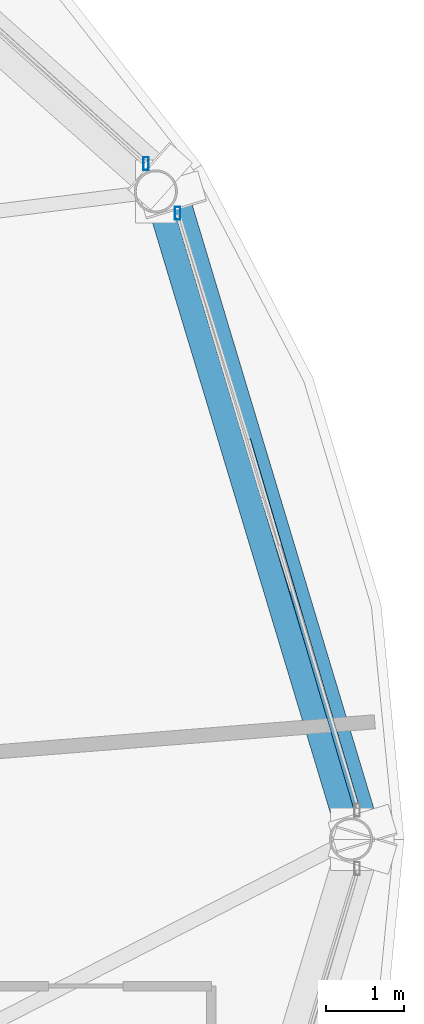
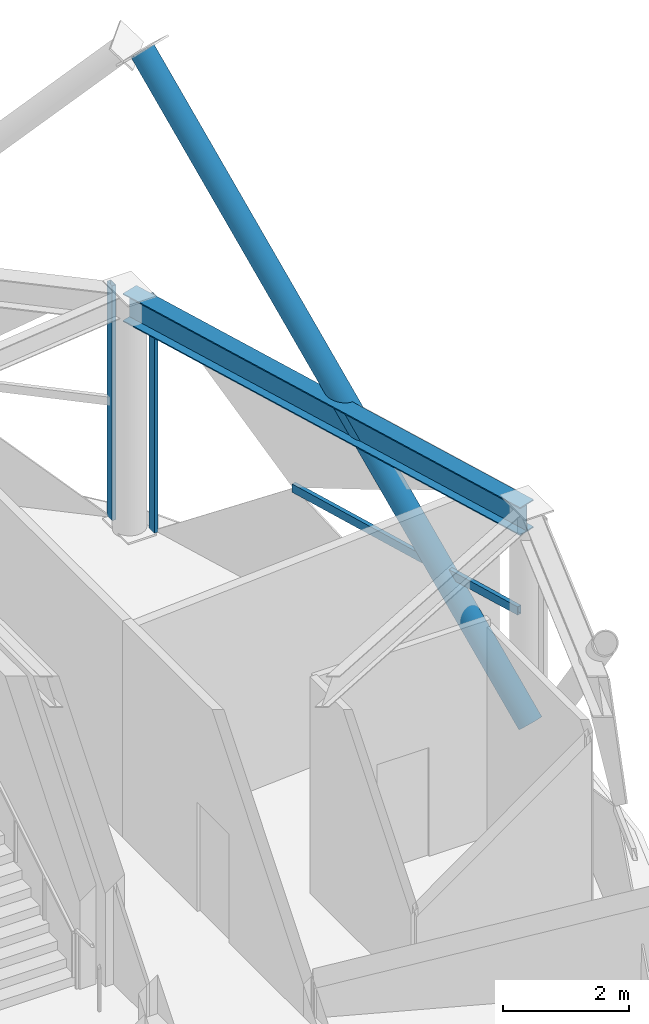
# One storey, part 16 of 27: 4 members, 1 beam, 2 elements without a shape of their own.
"""IFC4 building model written with IfcOpenShell, lengths in metres."""

from ifc_helpers import new_model, si_unit, direction, frame, origin, origin_2d, place, context, subcontext, project, spatial, hollow_rectangle, hollow_circle, i_section, extrude, material, layer, layer_set, material_profile, profile_set, type_object, element, aggregate, save


model = new_model("IFC4")

# Units and contexts
model_context = context("Model", 3, precision=1e-05, world=origin(), true_north=direction((0.0, 1.0)))
body_context = subcontext(model_context, "Body", "Model", "MODEL_VIEW")
ifc_project = project(units=[si_unit("LENGTHUNIT", "METRE"), si_unit("AREAUNIT", "SQUARE_METRE"), si_unit("VOLUMEUNIT", "CUBIC_METRE"), si_unit("PLANEANGLEUNIT", "RADIAN"), si_unit("MASSUNIT", "GRAM", prefix="KILO")], contexts=[model_context])

# Site, building, storey
site_placement = place(None, origin())
site = spatial("IfcSite", under=ifc_project, at=site_placement, CompositionType="ELEMENT")
building_placement = place(site_placement, origin())
building = spatial("IfcBuilding", under=site, at=building_placement, Name="Vantalir Tower", CompositionType="ELEMENT")
storey_placement = place(building_placement, frame((0.0, 0.0, 290.10009765625)))
storey = spatial("IfcBuildingStorey", under=building, at=storey_placement, Name="L73", CompositionType="ELEMENT", Elevation=290.10009765625)

# Beam
ifc_material_1 = material(Name="Steel S460", Category="steel")
ifc_material_profile_1 = material_profile(ifc_material_1, i_section(OverallWidth=0.31201171875, OverallDepth=0.5419921875, WebThickness=0.0126953125, FlangeThickness=0.020263671875, at=origin_2d()), Name="Steel S460")
ifc_profile_set_1 = profile_set([ifc_material_profile_1], Name="Steel S460")
beam_type = type_object("IfcBeamType", Name="BM-RG-533x312", PredefinedType="USERDEFINED", material=ifc_profile_set_1)
beam_placement = place(storey_placement, frame((50.06005859375, 25.0, 4.348876953125), z_axis=(-0.288436105836, 0.957499145091, 0.0), x_axis=(-0.957499145091, -0.288436105836, 0.0)))
element("IfcBeam", 1, at=beam_placement, inside=storey, type_object=beam_type, Name="L73 Circumferential Ring Girder 01", ObjectType="GIRDER", PredefinedType="USERDEFINED", context=body_context, shape_type="SweptSolid", body=[
    extrude(i_section(OverallWidth=0.31201171875, OverallDepth=0.5419921875, WebThickness=0.0126953125, FlangeThickness=0.020263671875, at=origin_2d()), origin(), (0.0, 0.0, 1.0), 8.62255859375),
])

# Curtain wall, member
ifc_material_2 = material(Name="Champagne-silver PVDF aluminium and double-silver Low-E glass", Category="aluminium")
ifc_layer = layer(ifc_material_2, 0.219970703125)
ifc_layer_set = layer_set([ifc_layer], Name="Champagne-silver PVDF aluminium and double-silver Low-E glass")
curtain_wall_type = type_object("IfcCurtainWallType", Name="CW-DIAMOND-Z4", PredefinedType="USERDEFINED", material=ifc_layer_set)
curtain_wall_1_placement = place(storey_placement, origin())
curtain_wall_1 = element("IfcCurtainWall", 2, at=curtain_wall_1_placement, inside=storey, type_object=curtain_wall_type, Name="L73 Quilted Pyramid-Diamond Curtain Wall S01", ObjectType="UNITISED CURTAIN WALL", PredefinedType="USERDEFINED")
ifc_material_3 = material(Name="Champagne-silver PVDF aluminium 6063-T6", Category="aluminium")
ifc_material_profile_2 = material_profile(ifc_material_3, hollow_rectangle(XDim=0.070068359375, YDim=0.1650390625, WallThickness=0.00390625, at=origin_2d()), Name="Champagne-silver PVDF aluminium 6063-T6")
ifc_profile_set_2 = profile_set([ifc_material_profile_2], Name="Champagne-silver PVDF aluminium 6063-T6")
member_type_1 = type_object("IfcMemberType", Name="CWM-165x70", PredefinedType="MULLION", material=ifc_profile_set_2)
member_1_placement = place(storey_placement, frame((47.85009765625, 32.97802734375, 0.044921875), z_axis=(0.0, 0.0, 1.0), x_axis=(1.0, 0.0, 0.0)))
member_1 = element("IfcMember", 3, at=member_1_placement, type_object=member_type_1, Name="CW-L73-S01 Mullion 2", PredefinedType="MULLION", context=body_context, shape_type="SweptSolid", body=[
    extrude(hollow_rectangle(XDim=0.070068359375, YDim=0.1650390625, WallThickness=0.00390625, at=origin_2d()), origin(), (0.0, 0.0, 1.0), 4.530029296875),
])

curtain_wall_2_placement = place(storey_placement, origin())
curtain_wall_2 = element("IfcCurtainWall", 4, at=curtain_wall_2_placement, inside=storey, type_object=curtain_wall_type, Name="L73 Quilted Pyramid-Diamond Curtain Wall S02", ObjectType="UNITISED CURTAIN WALL", PredefinedType="USERDEFINED")
member_2_placement = place(storey_placement, frame((47.447021484375, 33.610107421875, 0.044921875), z_axis=(0.0, 0.0, 1.0), x_axis=(1.0, 0.0, 0.0)))
member_2 = element("IfcMember", 5, at=member_2_placement, type_object=member_type_1, Name="CW-L73-S02 Mullion 1", PredefinedType="MULLION", context=body_context, shape_type="SweptSolid", body=[
    extrude(hollow_rectangle(XDim=0.070068359375, YDim=0.1650390625, WallThickness=0.00390625, at=origin_2d()), origin(), (0.0, 0.0, 1.0), 4.530029296875),
])
aggregate(curtain_wall_2, [member_2])

# Member
ifc_material_profile_3 = material_profile(ifc_material_3, hollow_rectangle(XDim=0.074951171875, YDim=0.159912109375, WallThickness=0.00390625, at=origin_2d()), Name="Champagne-silver PVDF aluminium 6063-T6")
ifc_profile_set_3 = profile_set([ifc_material_profile_3], Name="Champagne-silver PVDF aluminium 6063-T6")
member_type_2 = type_object("IfcMemberType", Name="CWT-160x75", PredefinedType="USERDEFINED", material=ifc_profile_set_3)
member_3_placement = place(storey_placement, frame((50.137939453125, 25.373046875, 2.309814453125), z_axis=(-0.283328521227, 0.95902291373, 0.0), x_axis=(-0.95902291373, -0.283328521227, 0.0)))
member_3 = element("IfcMember", 6, at=member_3_placement, type_object=member_type_2, Name="CW-L73-S01 Pyramid Fold Ridge Transom", ObjectType="TRANSOM", PredefinedType="USERDEFINED", context=body_context, shape_type="SweptSolid", body=[
    extrude(hollow_rectangle(XDim=0.074951171875, YDim=0.159912109375, WallThickness=0.00390625, at=origin_2d()), origin(), (0.0, 0.0, 1.0), 4.923583984375),
])

aggregate(curtain_wall_1, [member_1, member_3])

ifc_material_profile_4 = material_profile(ifc_material_1, hollow_circle(Radius=0.2099609375, WallThickness=0.02490234375, at=origin_2d()), Name="Steel S460")
ifc_profile_set_4 = profile_set([ifc_material_profile_4], Name="Steel S460")
member_type_3 = type_object("IfcMemberType", Name="MEM-DB-420x25", PredefinedType="BRACE", material=ifc_profile_set_4)
member_4_placement = place(storey_placement, frame((50.20703125, 25.14404296875, 0.239990234375), z_axis=(-0.197544968292, 0.656548266359, 0.727956289515), x_axis=(-0.95759294524, -0.288124541175, 0.0)))
element("IfcMember", 7, at=member_4_placement, inside=storey, type_object=member_type_3, Name="L73 Perimeter S460 Diagrid Brace R01L", PredefinedType="BRACE", context=body_context, shape_type="SweptSolid", body=[
    extrude(hollow_circle(Radius=0.2099609375, WallThickness=0.02490234375, at=origin_2d()), origin(), (0.0, 0.0, 1.0), 12.28076171875),
])

save(model, "model.ifc")
